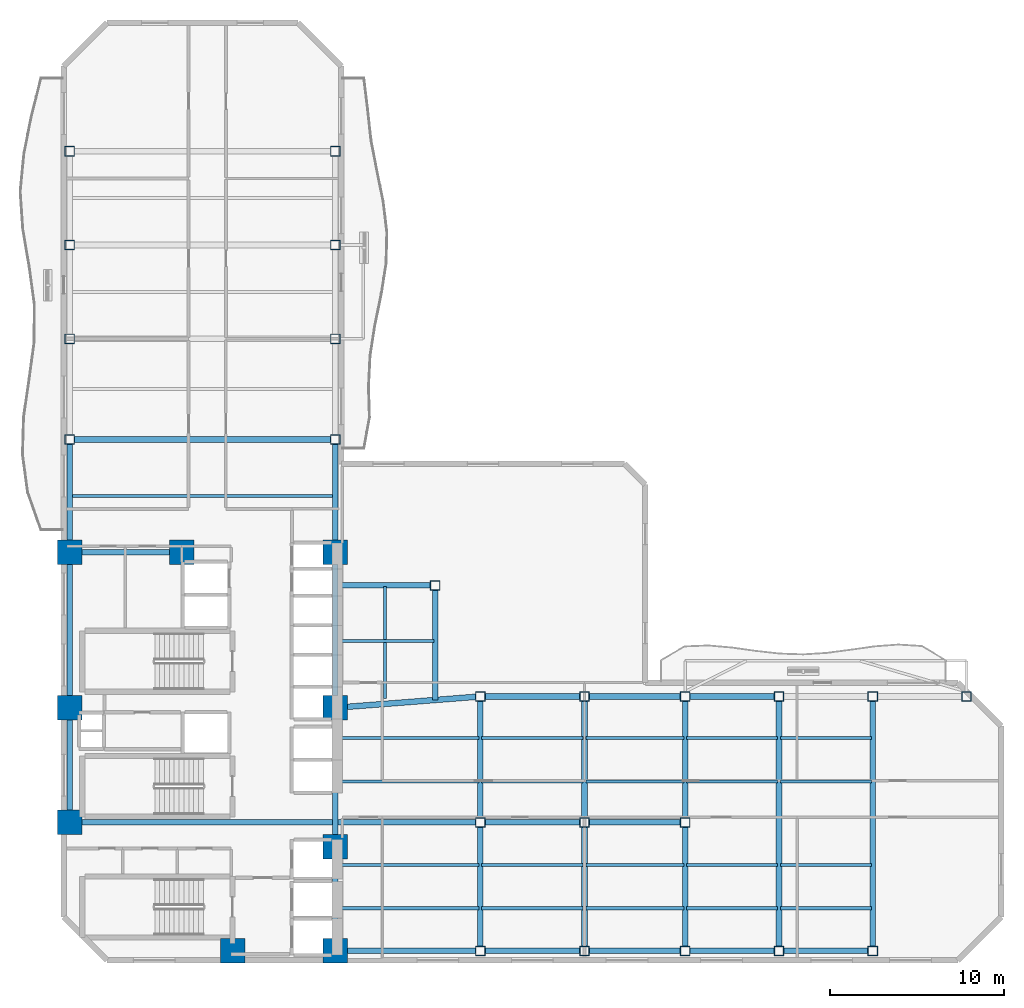
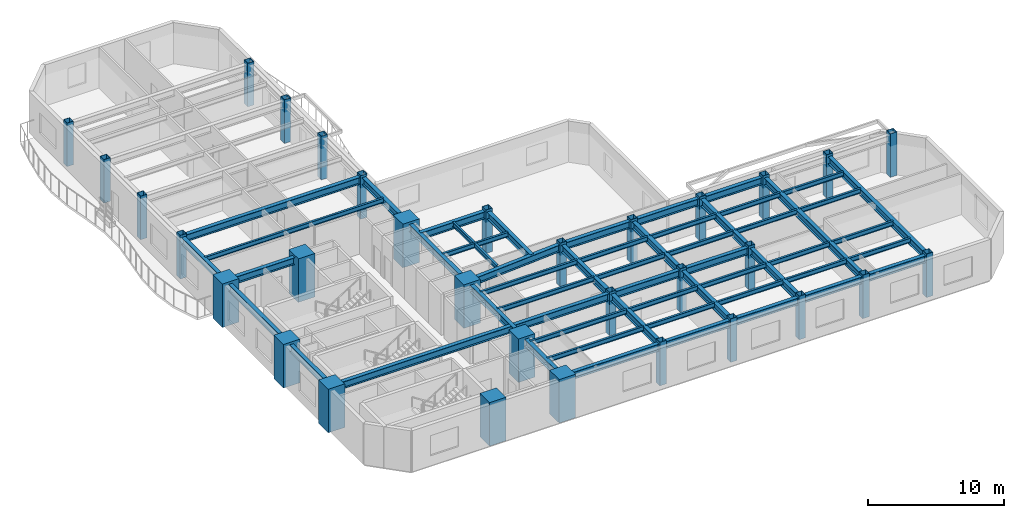
# One storey, part 1 of 10: 54 beams, 32 columns.
"""IFC4 building model written with IfcOpenShell, lengths in metres."""

import ifcopenshell
import ifcopenshell.guid

model = None  # the IFC model being written
_history = None  # IfcOwnerHistory: only IFC2X3 demands one
_inside = {}  # id of a spatial element -> (the spatial element, [elements in it])
_under = {}  # id of a project, library or spatial element -> (it, [spatial elements below it])
_declared = {}  # id of a project -> (the project, [libraries it declares])
_typed = {}  # id of a type object -> (the type object, [elements of that type])
_made_of = {}  # id of a material, layer set ... -> (it, [elements and type objects made of it])


def new_model(schema):
    """Start an empty IFC model of exactly this schema.

    Asked for "IFC4X3", IfcOpenShell would pick the latest addendum, in which some entities
    have other attributes; the version numbers below select the first issue.
    IFC2X3 requires an IfcOwnerHistory on every rooted entity: one is made here for all.
    """
    global model, _history
    if schema == "IFC4X3":
        model = ifcopenshell.file(schema_version=(4, 3, 0, 0))
    else:
        model = ifcopenshell.file(schema=schema)
    _inside.clear()
    _under.clear()
    _declared.clear()
    _typed.clear()
    _made_of.clear()
    _history = None
    if model.schema == "IFC2X3":
        org = make("IfcOrganization", Name="unknown")
        user = make(
            "IfcPersonAndOrganization",
            ThePerson=make("IfcPerson", FamilyName="unknown"),
            TheOrganization=org,
        )
        app = make(
            "IfcApplication",
            ApplicationDeveloper=org,
            Version="unknown",
            ApplicationFullName="unknown",
            ApplicationIdentifier="unknown",
        )
        _history = make(
            "IfcOwnerHistory",
            OwningUser=user,
            OwningApplication=app,
            ChangeAction="ADDED",
            CreationDate=0,
        )
    return model


def make(cls, **values):
    """One entity of the class cls with the attributes given. An attribute that is None is left unset."""
    return model.create_entity(
        cls, **{name: value for name, value in values.items() if value is not None}
    )


def rooted(cls, **values):
    """An entity with a GlobalId (a new one), such as an element, a storey or a relation."""
    return make(cls, GlobalId=ifcopenshell.guid.new(), OwnerHistory=_history, **values)


def si_unit(unit_type, name, prefix=None):
    """IfcSIUnit, for example si_unit("LENGTHUNIT", "METRE", prefix="MILLI")."""
    return make("IfcSIUnit", UnitType=unit_type, Prefix=prefix, Name=name)


def assignment(units):
    """IfcUnitAssignment: the units of a project."""
    return None if units is None else make("IfcUnitAssignment", Units=units)


def point(xyz):
    """IfcCartesianPoint."""
    return None if xyz is None else make("IfcCartesianPoint", Coordinates=xyz)


def direction(xyz):
    """IfcDirection."""
    return None if xyz is None else make("IfcDirection", DirectionRatios=xyz)


def frame(location, z_axis=None, x_axis=None):
    """IfcAxis2Placement3D, a coordinate frame: its origin and axes. An axis left out is left unset."""
    return make(
        "IfcAxis2Placement3D",
        Location=point(location),
        Axis=direction(z_axis),
        RefDirection=direction(x_axis),
    )


def frame_2d(location, x_axis=None):
    """IfcAxis2Placement2D, a coordinate frame in the plane: its origin and x axis."""
    return make(
        "IfcAxis2Placement2D", Location=point(location), RefDirection=direction(x_axis)
    )


def origin():
    """The frame at (0, 0, 0) with its axes left unset."""
    return frame((0.0, 0.0, 0.0))


def origin_2d():
    """The frame at (0, 0) in the plane with its x axis left unset."""
    return frame_2d((0.0, 0.0))


def place(relative_to, where):
    """IfcLocalPlacement: puts the frame where relative to a parent placement (None: the world)."""
    return make(
        "IfcLocalPlacement", PlacementRelTo=relative_to, RelativePlacement=where
    )


def context(
    kind, dimensions, precision=None, world=None, true_north=None, identifier=None
):
    """IfcGeometricRepresentationContext, for example the 3D "Model" context."""
    return make(
        "IfcGeometricRepresentationContext",
        ContextIdentifier=identifier,
        ContextType=kind,
        CoordinateSpaceDimension=dimensions,
        Precision=precision,
        WorldCoordinateSystem=world,
        TrueNorth=true_north,
    )


def subcontext(parent, identifier, kind, view, scale=None):
    """IfcGeometricRepresentationSubContext, for example "Body" below "Model"."""
    return make(
        "IfcGeometricRepresentationSubContext",
        ContextIdentifier=identifier,
        ContextType=kind,
        ParentContext=parent,
        TargetScale=scale,
        TargetView=view,
    )


def project(units=None, contexts=None):
    """IfcProject with its units and contexts."""
    return rooted(
        "IfcProject",
        Name="project",
        RepresentationContexts=contexts,
        UnitsInContext=assignment(units),
    )


def spatial(cls, under=None, at=None, **own):
    """A site, building, storey or space (cls), placed at a placement, below another one or the project."""
    s = rooted(cls, ObjectPlacement=at, **own)
    if under is not None:
        _under.setdefault(under.id(), (under, []))[1].append(s)
    return s


def profile(cls, at=None, kind="AREA", **sizes):
    """A parametric profile (cls). Its sizes go by their IFC names, for example OverallWidth=200.0."""
    return make(cls, ProfileType=kind, Position=at, **sizes)


def rectangle(**sizes):
    """IfcRectangleProfileDef."""
    return profile("IfcRectangleProfileDef", **sizes)


def hollow_rectangle(**sizes):
    """IfcRectangleHollowProfileDef."""
    return profile("IfcRectangleHollowProfileDef", **sizes)


def i_section(**sizes):
    """IfcIShapeProfileDef."""
    return profile("IfcIShapeProfileDef", **sizes)


def extrude(swept, where, along, depth):
    """IfcExtrudedAreaSolid: the profile swept, set in the frame where, extruded along a direction by depth."""
    return make(
        "IfcExtrudedAreaSolid",
        SweptArea=swept,
        Position=where,
        ExtrudedDirection=direction(along),
        Depth=depth,
    )


def shape(context_of_items, identifier, shape_type, items):
    """IfcShapeRepresentation: the items that make up one representation, for example the "Body"."""
    return make(
        "IfcShapeRepresentation",
        ContextOfItems=context_of_items,
        RepresentationIdentifier=identifier,
        RepresentationType=shape_type,
        Items=items,
    )


def material(Name=None, Category=None):
    """IfcMaterial."""
    return make("IfcMaterial", Name=Name, Category=Category)


def material_profile(
    of_material, cross_section, Name=None, Category=None, Priority=None
):
    """IfcMaterialProfile: a cross section and its material."""
    return make(
        "IfcMaterialProfile",
        Name=Name,
        Material=of_material,
        Profile=cross_section,
        Priority=Priority,
        Category=Category,
    )


def profile_set(profiles, Name=None, composite=None):
    """IfcMaterialProfileSet."""
    return make(
        "IfcMaterialProfileSet",
        Name=Name,
        MaterialProfiles=profiles,
        CompositeProfile=composite,
    )


def made_of(thing, what):
    """Note that an element or type object is made of a material, layer set ...; save() writes the relation."""
    if what is not None:
        _made_of.setdefault(what.id(), (what, []))[1].append(thing)
    return thing


def type_object(cls, material=None, **own):
    """A type object (cls), such as IfcWallType, which elements share."""
    return made_of(rooted(cls, **own), material)


def element(
    cls,
    number,
    at=None,
    inside=None,
    cuts=None,
    type_object=None,
    material=None,
    context=None,
    identifier="Body",
    shape_type=None,
    held_by="IfcProductDefinitionShape",
    body=None,
    shapes=None,
    **own,
):
    """One element of the class cls, such as IfcWall. Its Tag is "e" and its number.

    at: its placement. inside: the storey or other place that contains it. cuts: it is an
    opening in that element (IfcRelVoidsElement). A single representation is given by context,
    identifier, shape_type and body (its items); several are given by shapes. held_by: the class
    of the entity that holds the representations. save() writes the other relations.
    """
    e = rooted(cls, Tag="e%d" % number, ObjectPlacement=at, **own)
    if body is not None:
        shapes = [shape(context, identifier, shape_type, body)]
    if shapes is not None:
        e.Representation = make(held_by, Representations=shapes)
    if inside is not None:
        _inside.setdefault(inside.id(), (inside, []))[1].append(e)
    if cuts is not None:
        rooted(
            "IfcRelVoidsElement", RelatingBuildingElement=cuts, RelatedOpeningElement=e
        )
    if type_object is not None:
        _typed.setdefault(type_object.id(), (type_object, []))[1].append(e)
    return made_of(e, material)


def aggregate(whole, parts):
    """IfcRelAggregates: a whole, such as a stair, and the parts it consists of."""
    return rooted("IfcRelAggregates", RelatingObject=whole, RelatedObjects=parts)


def save(model, path):
    """Write the relations noted so far, then the file.

    IfcRelAggregates (storeys below a building ...), IfcRelContainedInSpatialStructure (elements
    in a storey), IfcRelDefinesByType, IfcRelAssociatesMaterial and IfcRelDeclares: one each for
    every whole, place, type object, material and project.
    """
    for whole, parts in _under.values():
        aggregate(whole, parts)
    for where, things in _inside.values():
        rooted(
            "IfcRelContainedInSpatialStructure",
            RelatedElements=things,
            RelatingStructure=where,
        )
    for kind, things in _typed.values():
        rooted("IfcRelDefinesByType", RelatedObjects=things, RelatingType=kind)
    for what, things in _made_of.values():
        rooted("IfcRelAssociatesMaterial", RelatedObjects=things, RelatingMaterial=what)
    for by, libraries in _declared.values():
        rooted("IfcRelDeclares", RelatingContext=by, RelatedDefinitions=libraries)
    model.write(path)


model = new_model("IFC4")

# Units and contexts
model_context = context("Model", 3, precision=1e-05, world=origin(), true_north=direction((0.0, 1.0)))
body_context = subcontext(model_context, "Body", "Model", "MODEL_VIEW")
ifc_project = project(units=[si_unit("LENGTHUNIT", "METRE"), si_unit("AREAUNIT", "SQUARE_METRE"), si_unit("VOLUMEUNIT", "CUBIC_METRE"), si_unit("PLANEANGLEUNIT", "RADIAN"), si_unit("MASSUNIT", "GRAM", prefix="KILO")], contexts=[model_context])

# Site, building, storey
site_placement = place(None, origin())
site = spatial("IfcSite", under=ifc_project, at=site_placement, CompositionType="ELEMENT")
building_placement = place(site_placement, origin())
building = spatial("IfcBuilding", under=site, at=building_placement, Name="Mawjaban Terraces University", CompositionType="ELEMENT")
storey_placement = place(building_placement, frame((0.0, 0.0, 34.89990234375)))
storey = spatial("IfcBuildingStorey", under=building, at=storey_placement, Name="L07", CompositionType="ELEMENT", Elevation=34.89990234375)

# Columns
ifc_material_1 = material(Name="Concrete C70/85", Category="concrete")
ifc_material_profile_1 = material_profile(ifc_material_1, rectangle(XDim=1.39990234375, YDim=1.39990234375, at=origin_2d()), Name="RC1400X1400")
ifc_profile_set_1 = profile_set([ifc_material_profile_1], Name="Concrete C70/85")
column_type_1 = type_object("IfcColumnType", Name="Col_RC1400X1400", PredefinedType="COLUMN", material=ifc_profile_set_1)
for number, where, z_axis, x_axis, name in (
    (1, (31.75, 0.550048828125, 0.0), (0.0, 0.0, 1.0), (1.0, 0.0, 0.0), "L07 Column CC2"),
    (2, (37.64990234375, 0.550048828125, 0.0), (0.0, 0.0, 1.0), (1.0, 0.0, 0.0), "L07 Column CC3"),
    (3, (22.35009765625, 7.949951171875, 0.0), (0.0, 0.0, 1.0), (1.0, 0.0, 0.0), "L07 Column CC4"),
    (4, (37.64990234375, 6.550048828125, 0.0), (0.0, 0.0, 1.0), (1.0, 0.0, 0.0), "L07 Column CC5"),
    (5, (22.35009765625, 14.550048828125, 0.0), (0.0, 0.0, 1.0), (1.0, 0.0, 0.0), "L07 Column CC6"),
    (6, (37.64990234375, 14.550048828125, 0.0), (0.0, 0.0, 1.0), (1.0, 0.0, 0.0), "L07 Column CC7"),
    (7, (22.35009765625, 23.5, 0.0), (0.0, 0.0, 1.0), (1.0, 0.0, 0.0), "L07 Column CC8"),
    (8, (28.800048828125, 23.5, 0.0), (0.0, 0.0, 1.0), (1.0, 0.0, 0.0), "L07 Column CC9"),
    (9, (37.64990234375, 23.5, 0.0), (0.0, 0.0, 1.0), (1.0, 0.0, 0.0), "L07 Column CC10"),
):
    element("IfcColumn", number, at=place(storey_placement, frame(where, z_axis=z_axis, x_axis=x_axis)), inside=storey, type_object=column_type_1, Name=name, PredefinedType="COLUMN", context=body_context, shape_type="SweptSolid", body=[
        extrude(rectangle(XDim=1.39990234375, YDim=1.39990234375, at=origin_2d()), origin(), (0.0, 0.0, 1.0), 3.900146484375),
    ])
ifc_material_2 = material(Name="Steel EN 10210-1 S355J2H", Category="steel")
ifc_material_profile_2 = material_profile(ifc_material_2, hollow_rectangle(XDim=0.550048828125, YDim=0.550048828125, WallThickness=0.02490234375, at=origin_2d()), Name="SHS550X550X25")
ifc_profile_set_2 = profile_set([ifc_material_profile_2], Name="Steel EN 10210-1 S355J2H")
column_type_2 = type_object("IfcColumnType", Name="Col_SHS550X550X25", PredefinedType="COLUMN", material=ifc_profile_set_2)
for number, where, z_axis, x_axis, name in (
    (10, (46.0, 0.550048828125, 0.0), (0.0, 0.0, 1.0), (1.0, 0.0, 0.0), "L07 Column TE-460-005"),
    (11, (46.0, 7.949951171875, 0.0), (0.0, 0.0, 1.0), (1.0, 0.0, 0.0), "L07 Column TE-460-080"),
    (12, (46.0, 15.199951171875, 0.0), (0.0, 0.0, 1.0), (1.0, 0.0, 0.0), "L07 Column TE-460-152"),
    (13, (52.0, 0.550048828125, 0.0), (0.0, 0.0, 1.0), (1.0, 0.0, 0.0), "L07 Column TE-520-005"),
    (14, (52.0, 7.949951171875, 0.0), (0.0, 0.0, 1.0), (1.0, 0.0, 0.0), "L07 Column TE-520-080"),
    (15, (52.0, 15.199951171875, 0.0), (0.0, 0.0, 1.0), (1.0, 0.0, 0.0), "L07 Column TE-520-152"),
    (16, (57.800048828125, 0.550048828125, 0.0), (0.0, 0.0, 1.0), (1.0, 0.0, 0.0), "L07 Column TE-578-005"),
    (17, (57.800048828125, 7.949951171875, 0.0), (0.0, 0.0, 1.0), (1.0, 0.0, 0.0), "L07 Column TE-578-080"),
    (18, (57.800048828125, 15.199951171875, 0.0), (0.0, 0.0, 1.0), (1.0, 0.0, 0.0), "L07 Column TE-578-152"),
    (19, (63.199951171875, 0.550048828125, 0.0), (0.0, 0.0, 1.0), (1.0, 0.0, 0.0), "L07 Column TE-632-005"),
    (20, (63.199951171875, 15.199951171875, 0.0), (0.0, 0.0, 1.0), (1.0, 0.0, 0.0), "L07 Column TE-632-152"),
    (21, (68.60009765625, 0.550048828125, 0.0), (0.0, 0.0, 1.0), (1.0, 0.0, 0.0), "L07 Column TE-686-005"),
    (22, (68.60009765625, 15.199951171875, 0.0), (0.0, 0.0, 1.0), (1.0, 0.0, 0.0), "L07 Column TE-686-152"),
    (23, (74.0, 15.199951171875, 0.0), (0.0, 0.0, 1.0), (1.0, 0.0, 0.0), "L07 Column TE-740-152"),
    (24, (22.35009765625, 30.0, 0.0), (0.0, 0.0, 1.0), (1.0, 0.0, 0.0), "L07 Column TN-223-300"),
    (25, (37.64990234375, 30.0, 0.0), (0.0, 0.0, 1.0), (1.0, 0.0, 0.0), "L07 Column TN-376-300"),
    (26, (22.35009765625, 35.800048828125, 0.0), (0.0, 0.0, 1.0), (1.0, 0.0, 0.0), "L07 Column TN-223-358"),
    (27, (37.64990234375, 35.800048828125, 0.0), (0.0, 0.0, 1.0), (1.0, 0.0, 0.0), "L07 Column TN-376-358"),
    (28, (22.35009765625, 41.199951171875, 0.0), (0.0, 0.0, 1.0), (1.0, 0.0, 0.0), "L07 Column TN-223-412"),
    (29, (37.64990234375, 41.199951171875, 0.0), (0.0, 0.0, 1.0), (1.0, 0.0, 0.0), "L07 Column TN-376-412"),
    (30, (22.35009765625, 46.60009765625, 0.0), (0.0, 0.0, 1.0), (1.0, 0.0, 0.0), "L07 Column TN-223-466"),
    (31, (37.64990234375, 46.60009765625, 0.0), (0.0, 0.0, 1.0), (1.0, 0.0, 0.0), "L07 Column TN-376-466"),
    (32, (43.39990234375, 21.60009765625, 0.0), (0.0, 0.0, 1.0), (1.0, 0.0, 0.0), "L07 Column TS-434-216"),
):
    element("IfcColumn", number, at=place(storey_placement, frame(where, z_axis=z_axis, x_axis=x_axis)), inside=storey, type_object=column_type_2, Name=name, PredefinedType="COLUMN", context=body_context, shape_type="SweptSolid", body=[
        extrude(hollow_rectangle(XDim=0.550048828125, YDim=0.550048828125, WallThickness=0.02490234375, at=origin_2d()), origin(), (0.0, 0.0, 1.0), 3.900146484375),
    ])

# Beams
ifc_material_3 = material(Name="Steel ASTM A572 Grade 50", Category="steel")
ifc_material_profile_3 = material_profile(ifc_material_3, i_section(OverallWidth=0.3291015625, OverallDepth=0.635009765625, WebThickness=0.017822265625, FlangeThickness=0.031005859375, at=origin_2d()), Name="W610X241")
ifc_profile_set_3 = profile_set([ifc_material_profile_3], Name="Steel ASTM A572 Grade 50")
beam_type_1 = type_object("IfcBeamType", Name="Beam_B_W610X241", PredefinedType="BEAM", material=ifc_profile_set_3)
beam_1_placement = place(storey_placement, frame((38.35009765625, 0.550048828125, 3.373046875), z_axis=(1.0, 0.0, 0.0), x_axis=(0.0, 1.0, 0.0)))
element("IfcBeam", 33, at=beam_1_placement, inside=storey, type_object=beam_type_1, Name="L07 Beam BM-L07-EW-01", PredefinedType="BEAM", context=body_context, shape_type="SweptSolid", body=[
    extrude(i_section(OverallWidth=0.3291015625, OverallDepth=0.635009765625, WebThickness=0.017822265625, FlangeThickness=0.031005859375, at=origin_2d()), origin(), (0.0, 0.0, 1.0), 7.375),
])
beam_2_placement = place(storey_placement, frame((46.27490234375, 0.550048828125, 3.373046875), z_axis=(1.0, 0.0, 0.0), x_axis=(0.0, 1.0, 0.0)))
element("IfcBeam", 34, at=beam_2_placement, inside=storey, type_object=beam_type_1, Name="L07 Beam BM-L07-EW-02", PredefinedType="BEAM", context=body_context, shape_type="SweptSolid", body=[
    extrude(i_section(OverallWidth=0.3291015625, OverallDepth=0.635009765625, WebThickness=0.017822265625, FlangeThickness=0.031005859375, at=origin_2d()), origin(), (0.0, 0.0, 1.0), 5.4501953125),
])
beam_3_placement = place(storey_placement, frame((52.27490234375, 0.550048828125, 3.373046875), z_axis=(1.0, 0.0, 0.0), x_axis=(0.0, 1.0, 0.0)))
element("IfcBeam", 35, at=beam_3_placement, inside=storey, type_object=beam_type_1, Name="L07 Beam BM-L07-EW-03", PredefinedType="BEAM", context=body_context, shape_type="SweptSolid", body=[
    extrude(i_section(OverallWidth=0.3291015625, OverallDepth=0.635009765625, WebThickness=0.017822265625, FlangeThickness=0.031005859375, at=origin_2d()), origin(), (0.0, 0.0, 1.0), 5.25),
])
beam_4_placement = place(storey_placement, frame((58.074951171875, 0.550048828125, 3.373046875), z_axis=(1.0, 0.0, 0.0), x_axis=(0.0, 1.0, 0.0)))
element("IfcBeam", 36, at=beam_4_placement, inside=storey, type_object=beam_type_1, Name="L07 Beam BM-L07-EW-04", PredefinedType="BEAM", context=body_context, shape_type="SweptSolid", body=[
    extrude(i_section(OverallWidth=0.3291015625, OverallDepth=0.635009765625, WebThickness=0.017822265625, FlangeThickness=0.031005859375, at=origin_2d()), origin(), (0.0, 0.0, 1.0), 4.85009765625),
])
beam_5_placement = place(storey_placement, frame((63.47509765625, 0.550048828125, 3.373046875), z_axis=(1.0, 0.0, 0.0), x_axis=(0.0, 1.0, 0.0)))
element("IfcBeam", 37, at=beam_5_placement, inside=storey, type_object=beam_type_1, Name="L07 Beam BM-L07-EW-05", PredefinedType="BEAM", context=body_context, shape_type="SweptSolid", body=[
    extrude(i_section(OverallWidth=0.3291015625, OverallDepth=0.635009765625, WebThickness=0.017822265625, FlangeThickness=0.031005859375, at=origin_2d()), origin(), (0.0, 0.0, 1.0), 4.849853515625),
])
beam_6_placement = place(storey_placement, frame((23.050048828125, 7.949951171875, 3.373046875), z_axis=(1.0, 0.0, 0.0), x_axis=(0.0, 1.0, 0.0)))
element("IfcBeam", 38, at=beam_6_placement, inside=storey, type_object=beam_type_1, Name="L07 Beam BM-L07-EW-06", PredefinedType="BEAM", context=body_context, shape_type="SweptSolid", body=[
    extrude(i_section(OverallWidth=0.3291015625, OverallDepth=0.635009765625, WebThickness=0.017822265625, FlangeThickness=0.031005859375, at=origin_2d()), origin(), (0.0, 0.0, 1.0), 22.675048828125),
])
beam_7_placement = place(storey_placement, frame((46.27490234375, 7.949951171875, 3.373046875), z_axis=(1.0, 0.0, 0.0), x_axis=(0.0, 1.0, 0.0)))
element("IfcBeam", 39, at=beam_7_placement, inside=storey, type_object=beam_type_1, Name="L07 Beam BM-L07-EW-07", PredefinedType="BEAM", context=body_context, shape_type="SweptSolid", body=[
    extrude(i_section(OverallWidth=0.3291015625, OverallDepth=0.635009765625, WebThickness=0.017822265625, FlangeThickness=0.031005859375, at=origin_2d()), origin(), (0.0, 0.0, 1.0), 5.4501953125),
])
beam_8_placement = place(storey_placement, frame((52.27490234375, 7.949951171875, 3.373046875), z_axis=(1.0, 0.0, 0.0), x_axis=(0.0, 1.0, 0.0)))
element("IfcBeam", 40, at=beam_8_placement, inside=storey, type_object=beam_type_1, Name="L07 Beam BM-L07-EW-08", PredefinedType="BEAM", context=body_context, shape_type="SweptSolid", body=[
    extrude(i_section(OverallWidth=0.3291015625, OverallDepth=0.635009765625, WebThickness=0.017822265625, FlangeThickness=0.031005859375, at=origin_2d()), origin(), (0.0, 0.0, 1.0), 5.25),
])
beam_9_placement = place(storey_placement, frame((46.27490234375, 15.199951171875, 3.373046875), z_axis=(1.0, 0.0, 0.0), x_axis=(0.0, 1.0, 0.0)))
element("IfcBeam", 41, at=beam_9_placement, inside=storey, type_object=beam_type_1, Name="L07 Beam BM-L07-EW-09", PredefinedType="BEAM", context=body_context, shape_type="SweptSolid", body=[
    extrude(i_section(OverallWidth=0.3291015625, OverallDepth=0.635009765625, WebThickness=0.017822265625, FlangeThickness=0.031005859375, at=origin_2d()), origin(), (0.0, 0.0, 1.0), 5.4501953125),
])
beam_10_placement = place(storey_placement, frame((52.27490234375, 15.199951171875, 3.373046875), z_axis=(1.0, 0.0, 0.0), x_axis=(0.0, 1.0, 0.0)))
element("IfcBeam", 42, at=beam_10_placement, inside=storey, type_object=beam_type_1, Name="L07 Beam BM-L07-EW-10", PredefinedType="BEAM", context=body_context, shape_type="SweptSolid", body=[
    extrude(i_section(OverallWidth=0.3291015625, OverallDepth=0.635009765625, WebThickness=0.017822265625, FlangeThickness=0.031005859375, at=origin_2d()), origin(), (0.0, 0.0, 1.0), 5.25),
])
beam_11_placement = place(storey_placement, frame((58.074951171875, 15.199951171875, 3.373046875), z_axis=(1.0, 0.0, 0.0), x_axis=(0.0, 1.0, 0.0)))
element("IfcBeam", 43, at=beam_11_placement, inside=storey, type_object=beam_type_1, Name="L07 Beam BM-L07-EW-11", PredefinedType="BEAM", context=body_context, shape_type="SweptSolid", body=[
    extrude(i_section(OverallWidth=0.3291015625, OverallDepth=0.635009765625, WebThickness=0.017822265625, FlangeThickness=0.031005859375, at=origin_2d()), origin(), (0.0, 0.0, 1.0), 4.85009765625),
])
beam_12_placement = place(storey_placement, frame((23.050048828125, 23.5, 3.373046875), z_axis=(1.0, 0.0, 0.0), x_axis=(0.0, 1.0, 0.0)))
element("IfcBeam", 44, at=beam_12_placement, inside=storey, type_object=beam_type_1, Name="L07 Beam BM-L07-EW-14", PredefinedType="BEAM", context=body_context, shape_type="SweptSolid", body=[
    extrude(i_section(OverallWidth=0.3291015625, OverallDepth=0.635009765625, WebThickness=0.017822265625, FlangeThickness=0.031005859375, at=origin_2d()), origin(), (0.0, 0.0, 1.0), 5.050048828125),
])
beam_13_placement = place(storey_placement, frame((22.625, 30.0, 3.373046875), z_axis=(1.0, 0.0, 0.0), x_axis=(0.0, 1.0, 0.0)))
element("IfcBeam", 45, at=beam_13_placement, inside=storey, type_object=beam_type_1, Name="L07 Beam BM-L07-EW-15", PredefinedType="BEAM", context=body_context, shape_type="SweptSolid", body=[
    extrude(i_section(OverallWidth=0.3291015625, OverallDepth=0.635009765625, WebThickness=0.017822265625, FlangeThickness=0.031005859375, at=origin_2d()), origin(), (0.0, 0.0, 1.0), 14.75),
])
beam_14_placement = place(storey_placement, frame((22.35009765625, 8.64990234375, 3.373046875), z_axis=(0.0, 1.0, 0.0), x_axis=(-1.0, 0.0, 0.0)))
element("IfcBeam", 46, at=beam_14_placement, inside=storey, type_object=beam_type_1, Name="L07 Beam BM-L07-NS-01", PredefinedType="BEAM", context=body_context, shape_type="SweptSolid", body=[
    extrude(i_section(OverallWidth=0.3291015625, OverallDepth=0.635009765625, WebThickness=0.017822265625, FlangeThickness=0.031005859375, at=origin_2d()), origin(), (0.0, 0.0, 1.0), 5.2001953125),
])
beam_15_placement = place(storey_placement, frame((22.35009765625, 15.25, 3.373046875), z_axis=(0.0, 1.0, 0.0), x_axis=(-1.0, 0.0, 0.0)))
element("IfcBeam", 47, at=beam_15_placement, inside=storey, type_object=beam_type_1, Name="L07 Beam BM-L07-NS-02", PredefinedType="BEAM", context=body_context, shape_type="SweptSolid", body=[
    extrude(i_section(OverallWidth=0.3291015625, OverallDepth=0.635009765625, WebThickness=0.017822265625, FlangeThickness=0.031005859375, at=origin_2d()), origin(), (0.0, 0.0, 1.0), 7.550048828125),
])
beam_16_placement = place(storey_placement, frame((22.35009765625, 24.199951171875, 3.373046875), z_axis=(0.0, 1.0, 0.0), x_axis=(-1.0, 0.0, 0.0)))
element("IfcBeam", 48, at=beam_16_placement, inside=storey, type_object=beam_type_1, Name="L07 Beam BM-L07-NS-03", PredefinedType="BEAM", context=body_context, shape_type="SweptSolid", body=[
    extrude(i_section(OverallWidth=0.3291015625, OverallDepth=0.635009765625, WebThickness=0.017822265625, FlangeThickness=0.031005859375, at=origin_2d()), origin(), (0.0, 0.0, 1.0), 5.525146484375),
])
beam_17_placement = place(storey_placement, frame((37.64990234375, 1.25, 3.373046875), z_axis=(0.0, 1.0, 0.0), x_axis=(-1.0, 0.0, 0.0)))
element("IfcBeam", 49, at=beam_17_placement, inside=storey, type_object=beam_type_1, Name="L07 Beam BM-L07-NS-07", PredefinedType="BEAM", context=body_context, shape_type="SweptSolid", body=[
    extrude(i_section(OverallWidth=0.3291015625, OverallDepth=0.635009765625, WebThickness=0.017822265625, FlangeThickness=0.031005859375, at=origin_2d()), origin(), (0.0, 0.0, 1.0), 4.60009765625),
])
beam_18_placement = place(storey_placement, frame((37.64990234375, 7.25, 3.373046875), z_axis=(0.0, 1.0, 0.0), x_axis=(-1.0, 0.0, 0.0)))
element("IfcBeam", 50, at=beam_18_placement, inside=storey, type_object=beam_type_1, Name="L07 Beam BM-L07-NS-08", PredefinedType="BEAM", context=body_context, shape_type="SweptSolid", body=[
    extrude(i_section(OverallWidth=0.3291015625, OverallDepth=0.635009765625, WebThickness=0.017822265625, FlangeThickness=0.031005859375, at=origin_2d()), origin(), (0.0, 0.0, 1.0), 6.60009765625),
])
beam_19_placement = place(storey_placement, frame((37.64990234375, 15.25, 3.373046875), z_axis=(0.0, 1.0, 0.0), x_axis=(-1.0, 0.0, 0.0)))
element("IfcBeam", 51, at=beam_19_placement, inside=storey, type_object=beam_type_1, Name="L07 Beam BM-L07-NS-09", PredefinedType="BEAM", context=body_context, shape_type="SweptSolid", body=[
    extrude(i_section(OverallWidth=0.3291015625, OverallDepth=0.635009765625, WebThickness=0.017822265625, FlangeThickness=0.031005859375, at=origin_2d()), origin(), (0.0, 0.0, 1.0), 7.550048828125),
])
beam_20_placement = place(storey_placement, frame((37.64990234375, 24.199951171875, 3.373046875), z_axis=(0.0, 1.0, 0.0), x_axis=(-1.0, 0.0, 0.0)))
element("IfcBeam", 52, at=beam_20_placement, inside=storey, type_object=beam_type_1, Name="L07 Beam BM-L07-NS-10", PredefinedType="BEAM", context=body_context, shape_type="SweptSolid", body=[
    extrude(i_section(OverallWidth=0.3291015625, OverallDepth=0.635009765625, WebThickness=0.017822265625, FlangeThickness=0.031005859375, at=origin_2d()), origin(), (0.0, 0.0, 1.0), 5.525146484375),
])
beam_21_placement = place(storey_placement, frame((46.0, 0.824951171875, 3.373046875), z_axis=(0.0, 1.0, 0.0), x_axis=(-1.0, 0.0, 0.0)))
element("IfcBeam", 53, at=beam_21_placement, inside=storey, type_object=beam_type_1, Name="L07 Beam BM-L07-NS-14", PredefinedType="BEAM", context=body_context, shape_type="SweptSolid", body=[
    extrude(i_section(OverallWidth=0.3291015625, OverallDepth=0.635009765625, WebThickness=0.017822265625, FlangeThickness=0.031005859375, at=origin_2d()), origin(), (0.0, 0.0, 1.0), 6.85009765625),
])
beam_22_placement = place(storey_placement, frame((46.0, 8.22509765625, 3.373046875), z_axis=(0.0, 1.0, 0.0), x_axis=(-1.0, 0.0, 0.0)))
element("IfcBeam", 54, at=beam_22_placement, inside=storey, type_object=beam_type_1, Name="L07 Beam BM-L07-NS-15", PredefinedType="BEAM", context=body_context, shape_type="SweptSolid", body=[
    extrude(i_section(OverallWidth=0.3291015625, OverallDepth=0.635009765625, WebThickness=0.017822265625, FlangeThickness=0.031005859375, at=origin_2d()), origin(), (0.0, 0.0, 1.0), 6.699951171875),
])
beam_23_placement = place(storey_placement, frame((52.0, 0.824951171875, 3.373046875), z_axis=(0.0, 1.0, 0.0), x_axis=(-1.0, 0.0, 0.0)))
element("IfcBeam", 55, at=beam_23_placement, inside=storey, type_object=beam_type_1, Name="L07 Beam BM-L07-NS-16", PredefinedType="BEAM", context=body_context, shape_type="SweptSolid", body=[
    extrude(i_section(OverallWidth=0.3291015625, OverallDepth=0.635009765625, WebThickness=0.017822265625, FlangeThickness=0.031005859375, at=origin_2d()), origin(), (0.0, 0.0, 1.0), 6.85009765625),
])
beam_24_placement = place(storey_placement, frame((52.0, 8.22509765625, 3.373046875), z_axis=(0.0, 1.0, 0.0), x_axis=(-1.0, 0.0, 0.0)))
element("IfcBeam", 56, at=beam_24_placement, inside=storey, type_object=beam_type_1, Name="L07 Beam BM-L07-NS-17", PredefinedType="BEAM", context=body_context, shape_type="SweptSolid", body=[
    extrude(i_section(OverallWidth=0.3291015625, OverallDepth=0.635009765625, WebThickness=0.017822265625, FlangeThickness=0.031005859375, at=origin_2d()), origin(), (0.0, 0.0, 1.0), 6.699951171875),
])
beam_25_placement = place(storey_placement, frame((57.800048828125, 0.824951171875, 3.373046875), z_axis=(0.0, 1.0, 0.0), x_axis=(-1.0, 0.0, 0.0)))
element("IfcBeam", 57, at=beam_25_placement, inside=storey, type_object=beam_type_1, Name="L07 Beam BM-L07-NS-18", PredefinedType="BEAM", context=body_context, shape_type="SweptSolid", body=[
    extrude(i_section(OverallWidth=0.3291015625, OverallDepth=0.635009765625, WebThickness=0.017822265625, FlangeThickness=0.031005859375, at=origin_2d()), origin(), (0.0, 0.0, 1.0), 6.85009765625),
])
beam_26_placement = place(storey_placement, frame((57.800048828125, 8.22509765625, 3.373046875), z_axis=(0.0, 1.0, 0.0), x_axis=(-1.0, 0.0, 0.0)))
element("IfcBeam", 58, at=beam_26_placement, inside=storey, type_object=beam_type_1, Name="L07 Beam BM-L07-NS-19", PredefinedType="BEAM", context=body_context, shape_type="SweptSolid", body=[
    extrude(i_section(OverallWidth=0.3291015625, OverallDepth=0.635009765625, WebThickness=0.017822265625, FlangeThickness=0.031005859375, at=origin_2d()), origin(), (0.0, 0.0, 1.0), 6.699951171875),
])
for number, where, z_axis, x_axis, name in (
    (59, (63.199951171875, 0.824951171875, 3.373046875), (0.0, 1.0, 0.0), (-1.0, 0.0, 0.0), "L07 Beam BM-L07-NS-20"),
    (60, (68.60009765625, 0.824951171875, 3.373046875), (0.0, 1.0, 0.0), (-1.0, 0.0, 0.0), "L07 Beam BM-L07-NS-21"),
):
    element("IfcBeam", number, at=place(storey_placement, frame(where, z_axis=z_axis, x_axis=x_axis)), inside=storey, type_object=beam_type_1, Name=name, PredefinedType="BEAM", context=body_context, shape_type="SweptSolid", body=[
        extrude(i_section(OverallWidth=0.3291015625, OverallDepth=0.635009765625, WebThickness=0.017822265625, FlangeThickness=0.031005859375, at=origin_2d()), origin(), (0.0, 0.0, 1.0), 14.10009765625),
    ])
beam_27_placement = place(storey_placement, frame((38.347900390625, 14.60400390625, 3.373046875), z_axis=(0.996977531908, 0.077690416851, 0.0), x_axis=(-0.077690416851, 0.996977531908, 0.0)))
element("IfcBeam", 61, at=beam_27_placement, inside=storey, type_object=beam_type_1, Name="L07 Beam BM-L07-CTIE", PredefinedType="BEAM", context=body_context, shape_type="SweptSolid", body=[
    extrude(i_section(OverallWidth=0.3291015625, OverallDepth=0.635009765625, WebThickness=0.017822265625, FlangeThickness=0.031005859375, at=origin_2d()), origin(), (0.0, 0.0, 1.0), 7.400634765625),
])
beam_28_placement = place(storey_placement, frame((37.679931640625, 21.60009765625, 3.373046875), z_axis=(1.0, 0.0, 0.0), x_axis=(0.0, 1.0, 0.0)))
element("IfcBeam", 62, at=beam_28_placement, inside=storey, type_object=beam_type_1, Name="L07 Spur Tie Girder West", PredefinedType="BEAM", context=body_context, shape_type="SweptSolid", body=[
    extrude(i_section(OverallWidth=0.3291015625, OverallDepth=0.635009765625, WebThickness=0.017822265625, FlangeThickness=0.031005859375, at=origin_2d()), origin(), (0.0, 0.0, 1.0), 5.445068359375),
])
beam_29_placement = place(storey_placement, frame((43.39990234375, 15.0, 3.373046875), z_axis=(0.0, 1.0, 0.0), x_axis=(-1.0, 0.0, 0.0)))
element("IfcBeam", 63, at=beam_29_placement, inside=storey, type_object=beam_type_1, Name="L07 Spur Tie Girder South", PredefinedType="BEAM", context=body_context, shape_type="SweptSolid", body=[
    extrude(i_section(OverallWidth=0.3291015625, OverallDepth=0.635009765625, WebThickness=0.017822265625, FlangeThickness=0.031005859375, at=origin_2d()), origin(), (0.0, 0.0, 1.0), 6.324951171875),
])
ifc_material_profile_4 = material_profile(ifc_material_3, i_section(OverallWidth=0.179931640625, OverallDepth=0.4130859375, WebThickness=0.009765625, FlangeThickness=0.01611328125, at=origin_2d()), Name="W410X74")
ifc_profile_set_4 = profile_set([ifc_material_profile_4], Name="Steel ASTM A572 Grade 50")
beam_type_2 = type_object("IfcBeamType", Name="Beam_J_W410X74", PredefinedType="JOIST", material=ifc_profile_set_4)
beam_30_placement = place(storey_placement, frame((37.72998046875, 3.0, 3.484130859375), z_axis=(1.0, 0.0, 0.0), x_axis=(0.0, 1.0, 0.0)))
element("IfcBeam", 64, at=beam_30_placement, inside=storey, type_object=beam_type_2, Name="L07 Composite Joist JST-L07-01", PredefinedType="JOIST", context=body_context, shape_type="SweptSolid", body=[
    extrude(i_section(OverallWidth=0.179931640625, OverallDepth=0.4130859375, WebThickness=0.009765625, FlangeThickness=0.01611328125, at=origin_2d()), origin(), (0.0, 0.0, 1.0), 8.18994140625),
])
beam_31_placement = place(storey_placement, frame((46.080078125, 3.0, 3.484130859375), z_axis=(1.0, 0.0, 0.0), x_axis=(0.0, 1.0, 0.0)))
element("IfcBeam", 65, at=beam_31_placement, inside=storey, type_object=beam_type_2, Name="L07 Composite Joist JST-L07-02", PredefinedType="JOIST", context=body_context, shape_type="SweptSolid", body=[
    extrude(i_section(OverallWidth=0.179931640625, OverallDepth=0.4130859375, WebThickness=0.009765625, FlangeThickness=0.01611328125, at=origin_2d()), origin(), (0.0, 0.0, 1.0), 5.83984375),
])
beam_32_placement = place(storey_placement, frame((52.080078125, 3.0, 3.484130859375), z_axis=(1.0, 0.0, 0.0), x_axis=(0.0, 1.0, 0.0)))
element("IfcBeam", 66, at=beam_32_placement, inside=storey, type_object=beam_type_2, Name="L07 Composite Joist JST-L07-03", PredefinedType="JOIST", context=body_context, shape_type="SweptSolid", body=[
    extrude(i_section(OverallWidth=0.179931640625, OverallDepth=0.4130859375, WebThickness=0.009765625, FlangeThickness=0.01611328125, at=origin_2d()), origin(), (0.0, 0.0, 1.0), 5.639892578125),
])
beam_33_placement = place(storey_placement, frame((57.8798828125, 3.0, 3.484130859375), z_axis=(1.0, 0.0, 0.0), x_axis=(0.0, 1.0, 0.0)))
element("IfcBeam", 67, at=beam_33_placement, inside=storey, type_object=beam_type_2, Name="L07 Composite Joist JST-L07-04", PredefinedType="JOIST", context=body_context, shape_type="SweptSolid", body=[
    extrude(i_section(OverallWidth=0.179931640625, OverallDepth=0.4130859375, WebThickness=0.009765625, FlangeThickness=0.01611328125, at=origin_2d()), origin(), (0.0, 0.0, 1.0), 5.240234375),
])
beam_34_placement = place(storey_placement, frame((63.280029296875, 3.0, 3.484130859375), z_axis=(1.0, 0.0, 0.0), x_axis=(0.0, 1.0, 0.0)))
element("IfcBeam", 68, at=beam_34_placement, inside=storey, type_object=beam_type_2, Name="L07 Composite Joist JST-L07-05", PredefinedType="JOIST", context=body_context, shape_type="SweptSolid", body=[
    extrude(i_section(OverallWidth=0.179931640625, OverallDepth=0.4130859375, WebThickness=0.009765625, FlangeThickness=0.01611328125, at=origin_2d()), origin(), (0.0, 0.0, 1.0), 5.239990234375),
])
beam_35_placement = place(storey_placement, frame((37.72998046875, 5.5, 3.484130859375), z_axis=(1.0, 0.0, 0.0), x_axis=(0.0, 1.0, 0.0)))
element("IfcBeam", 69, at=beam_35_placement, inside=storey, type_object=beam_type_2, Name="L07 Composite Joist JST-L07-06", PredefinedType="JOIST", context=body_context, shape_type="SweptSolid", body=[
    extrude(i_section(OverallWidth=0.179931640625, OverallDepth=0.4130859375, WebThickness=0.009765625, FlangeThickness=0.01611328125, at=origin_2d()), origin(), (0.0, 0.0, 1.0), 8.18994140625),
])
beam_36_placement = place(storey_placement, frame((46.080078125, 5.5, 3.484130859375), z_axis=(1.0, 0.0, 0.0), x_axis=(0.0, 1.0, 0.0)))
element("IfcBeam", 70, at=beam_36_placement, inside=storey, type_object=beam_type_2, Name="L07 Composite Joist JST-L07-07", PredefinedType="JOIST", context=body_context, shape_type="SweptSolid", body=[
    extrude(i_section(OverallWidth=0.179931640625, OverallDepth=0.4130859375, WebThickness=0.009765625, FlangeThickness=0.01611328125, at=origin_2d()), origin(), (0.0, 0.0, 1.0), 5.83984375),
])
beam_37_placement = place(storey_placement, frame((52.080078125, 5.5, 3.484130859375), z_axis=(1.0, 0.0, 0.0), x_axis=(0.0, 1.0, 0.0)))
element("IfcBeam", 71, at=beam_37_placement, inside=storey, type_object=beam_type_2, Name="L07 Composite Joist JST-L07-08", PredefinedType="JOIST", context=body_context, shape_type="SweptSolid", body=[
    extrude(i_section(OverallWidth=0.179931640625, OverallDepth=0.4130859375, WebThickness=0.009765625, FlangeThickness=0.01611328125, at=origin_2d()), origin(), (0.0, 0.0, 1.0), 5.639892578125),
])
beam_38_placement = place(storey_placement, frame((57.8798828125, 5.5, 3.484130859375), z_axis=(1.0, 0.0, 0.0), x_axis=(0.0, 1.0, 0.0)))
element("IfcBeam", 72, at=beam_38_placement, inside=storey, type_object=beam_type_2, Name="L07 Composite Joist JST-L07-09", PredefinedType="JOIST", context=body_context, shape_type="SweptSolid", body=[
    extrude(i_section(OverallWidth=0.179931640625, OverallDepth=0.4130859375, WebThickness=0.009765625, FlangeThickness=0.01611328125, at=origin_2d()), origin(), (0.0, 0.0, 1.0), 5.240234375),
])
beam_39_placement = place(storey_placement, frame((63.280029296875, 5.5, 3.484130859375), z_axis=(1.0, 0.0, 0.0), x_axis=(0.0, 1.0, 0.0)))
element("IfcBeam", 73, at=beam_39_placement, inside=storey, type_object=beam_type_2, Name="L07 Composite Joist JST-L07-10", PredefinedType="JOIST", context=body_context, shape_type="SweptSolid", body=[
    extrude(i_section(OverallWidth=0.179931640625, OverallDepth=0.4130859375, WebThickness=0.009765625, FlangeThickness=0.01611328125, at=origin_2d()), origin(), (0.0, 0.0, 1.0), 5.239990234375),
])
beam_40_placement = place(storey_placement, frame((37.72998046875, 10.300048828125, 3.484130859375), z_axis=(1.0, 0.0, 0.0), x_axis=(0.0, 1.0, 0.0)))
element("IfcBeam", 74, at=beam_40_placement, inside=storey, type_object=beam_type_2, Name="L07 Composite Joist JST-L07-11", PredefinedType="JOIST", context=body_context, shape_type="SweptSolid", body=[
    extrude(i_section(OverallWidth=0.179931640625, OverallDepth=0.4130859375, WebThickness=0.009765625, FlangeThickness=0.01611328125, at=origin_2d()), origin(), (0.0, 0.0, 1.0), 8.18994140625),
])
beam_41_placement = place(storey_placement, frame((46.080078125, 10.300048828125, 3.484130859375), z_axis=(1.0, 0.0, 0.0), x_axis=(0.0, 1.0, 0.0)))
element("IfcBeam", 75, at=beam_41_placement, inside=storey, type_object=beam_type_2, Name="L07 Composite Joist JST-L07-12", PredefinedType="JOIST", context=body_context, shape_type="SweptSolid", body=[
    extrude(i_section(OverallWidth=0.179931640625, OverallDepth=0.4130859375, WebThickness=0.009765625, FlangeThickness=0.01611328125, at=origin_2d()), origin(), (0.0, 0.0, 1.0), 5.83984375),
])
beam_42_placement = place(storey_placement, frame((52.080078125, 10.300048828125, 3.484130859375), z_axis=(1.0, 0.0, 0.0), x_axis=(0.0, 1.0, 0.0)))
element("IfcBeam", 76, at=beam_42_placement, inside=storey, type_object=beam_type_2, Name="L07 Composite Joist JST-L07-13", PredefinedType="JOIST", context=body_context, shape_type="SweptSolid", body=[
    extrude(i_section(OverallWidth=0.179931640625, OverallDepth=0.4130859375, WebThickness=0.009765625, FlangeThickness=0.01611328125, at=origin_2d()), origin(), (0.0, 0.0, 1.0), 5.639892578125),
])
beam_43_placement = place(storey_placement, frame((57.8798828125, 10.300048828125, 3.484130859375), z_axis=(1.0, 0.0, 0.0), x_axis=(0.0, 1.0, 0.0)))
element("IfcBeam", 77, at=beam_43_placement, inside=storey, type_object=beam_type_2, Name="L07 Composite Joist JST-L07-14", PredefinedType="JOIST", context=body_context, shape_type="SweptSolid", body=[
    extrude(i_section(OverallWidth=0.179931640625, OverallDepth=0.4130859375, WebThickness=0.009765625, FlangeThickness=0.01611328125, at=origin_2d()), origin(), (0.0, 0.0, 1.0), 5.240234375),
])
beam_44_placement = place(storey_placement, frame((63.280029296875, 10.300048828125, 3.484130859375), z_axis=(1.0, 0.0, 0.0), x_axis=(0.0, 1.0, 0.0)))
element("IfcBeam", 78, at=beam_44_placement, inside=storey, type_object=beam_type_2, Name="L07 Composite Joist JST-L07-15", PredefinedType="JOIST", context=body_context, shape_type="SweptSolid", body=[
    extrude(i_section(OverallWidth=0.179931640625, OverallDepth=0.4130859375, WebThickness=0.009765625, FlangeThickness=0.01611328125, at=origin_2d()), origin(), (0.0, 0.0, 1.0), 5.239990234375),
])
beam_45_placement = place(storey_placement, frame((37.72998046875, 12.800048828125, 3.484130859375), z_axis=(1.0, 0.0, 0.0), x_axis=(0.0, 1.0, 0.0)))
element("IfcBeam", 79, at=beam_45_placement, inside=storey, type_object=beam_type_2, Name="L07 Composite Joist JST-L07-16", PredefinedType="JOIST", context=body_context, shape_type="SweptSolid", body=[
    extrude(i_section(OverallWidth=0.179931640625, OverallDepth=0.4130859375, WebThickness=0.009765625, FlangeThickness=0.01611328125, at=origin_2d()), origin(), (0.0, 0.0, 1.0), 8.18994140625),
])
beam_46_placement = place(storey_placement, frame((46.080078125, 12.800048828125, 3.484130859375), z_axis=(1.0, 0.0, 0.0), x_axis=(0.0, 1.0, 0.0)))
element("IfcBeam", 80, at=beam_46_placement, inside=storey, type_object=beam_type_2, Name="L07 Composite Joist JST-L07-17", PredefinedType="JOIST", context=body_context, shape_type="SweptSolid", body=[
    extrude(i_section(OverallWidth=0.179931640625, OverallDepth=0.4130859375, WebThickness=0.009765625, FlangeThickness=0.01611328125, at=origin_2d()), origin(), (0.0, 0.0, 1.0), 5.83984375),
])
beam_47_placement = place(storey_placement, frame((52.080078125, 12.800048828125, 3.484130859375), z_axis=(1.0, 0.0, 0.0), x_axis=(0.0, 1.0, 0.0)))
element("IfcBeam", 81, at=beam_47_placement, inside=storey, type_object=beam_type_2, Name="L07 Composite Joist JST-L07-18", PredefinedType="JOIST", context=body_context, shape_type="SweptSolid", body=[
    extrude(i_section(OverallWidth=0.179931640625, OverallDepth=0.4130859375, WebThickness=0.009765625, FlangeThickness=0.01611328125, at=origin_2d()), origin(), (0.0, 0.0, 1.0), 5.639892578125),
])
beam_48_placement = place(storey_placement, frame((57.8798828125, 12.800048828125, 3.484130859375), z_axis=(1.0, 0.0, 0.0), x_axis=(0.0, 1.0, 0.0)))
element("IfcBeam", 82, at=beam_48_placement, inside=storey, type_object=beam_type_2, Name="L07 Composite Joist JST-L07-19", PredefinedType="JOIST", context=body_context, shape_type="SweptSolid", body=[
    extrude(i_section(OverallWidth=0.179931640625, OverallDepth=0.4130859375, WebThickness=0.009765625, FlangeThickness=0.01611328125, at=origin_2d()), origin(), (0.0, 0.0, 1.0), 5.240234375),
])
beam_49_placement = place(storey_placement, frame((63.280029296875, 12.800048828125, 3.484130859375), z_axis=(1.0, 0.0, 0.0), x_axis=(0.0, 1.0, 0.0)))
element("IfcBeam", 83, at=beam_49_placement, inside=storey, type_object=beam_type_2, Name="L07 Composite Joist JST-L07-20", PredefinedType="JOIST", context=body_context, shape_type="SweptSolid", body=[
    extrude(i_section(OverallWidth=0.179931640625, OverallDepth=0.4130859375, WebThickness=0.009765625, FlangeThickness=0.01611328125, at=origin_2d()), origin(), (0.0, 0.0, 1.0), 5.239990234375),
])
beam_50_placement = place(storey_placement, frame((37.72998046875, 18.39990234375, 3.484130859375), z_axis=(1.0, 0.0, 0.0), x_axis=(0.0, 1.0, 0.0)))
element("IfcBeam", 84, at=beam_50_placement, inside=storey, type_object=beam_type_2, Name="L07 Composite Joist JST-L07-21", PredefinedType="JOIST", context=body_context, shape_type="SweptSolid", body=[
    extrude(i_section(OverallWidth=0.179931640625, OverallDepth=0.4130859375, WebThickness=0.009765625, FlangeThickness=0.01611328125, at=origin_2d()), origin(), (0.0, 0.0, 1.0), 5.590087890625),
])
beam_51_placement = place(storey_placement, frame((22.429931640625, 26.75, 3.484130859375), z_axis=(1.0, 0.0, 0.0), x_axis=(0.0, 1.0, 0.0)))
element("IfcBeam", 85, at=beam_51_placement, inside=storey, type_object=beam_type_2, Name="L07 Composite Joist JST-L07-22", PredefinedType="JOIST", context=body_context, shape_type="SweptSolid", body=[
    extrude(i_section(OverallWidth=0.179931640625, OverallDepth=0.4130859375, WebThickness=0.009765625, FlangeThickness=0.01611328125, at=origin_2d()), origin(), (0.0, 0.0, 1.0), 15.14013671875),
])
beam_52_placement = place(storey_placement, frame((40.5, 15.080078125, 3.484130859375), z_axis=(0.0, 1.0, 0.0), x_axis=(-1.0, 0.0, 0.0)))
element("IfcBeam", 86, at=beam_52_placement, inside=storey, type_object=beam_type_2, Name="L07 Composite Joist JST-L07-NS-26", PredefinedType="JOIST", context=body_context, shape_type="SweptSolid", body=[
    extrude(i_section(OverallWidth=0.179931640625, OverallDepth=0.4130859375, WebThickness=0.009765625, FlangeThickness=0.01611328125, at=origin_2d()), origin(), (0.0, 0.0, 1.0), 6.43994140625),
])

save(model, "model.ifc")
